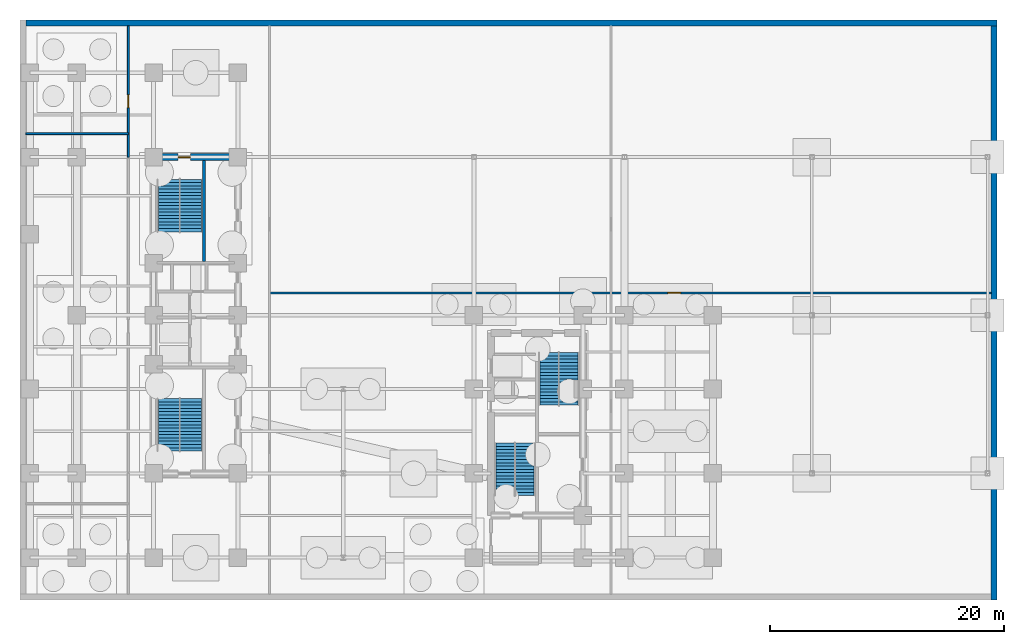
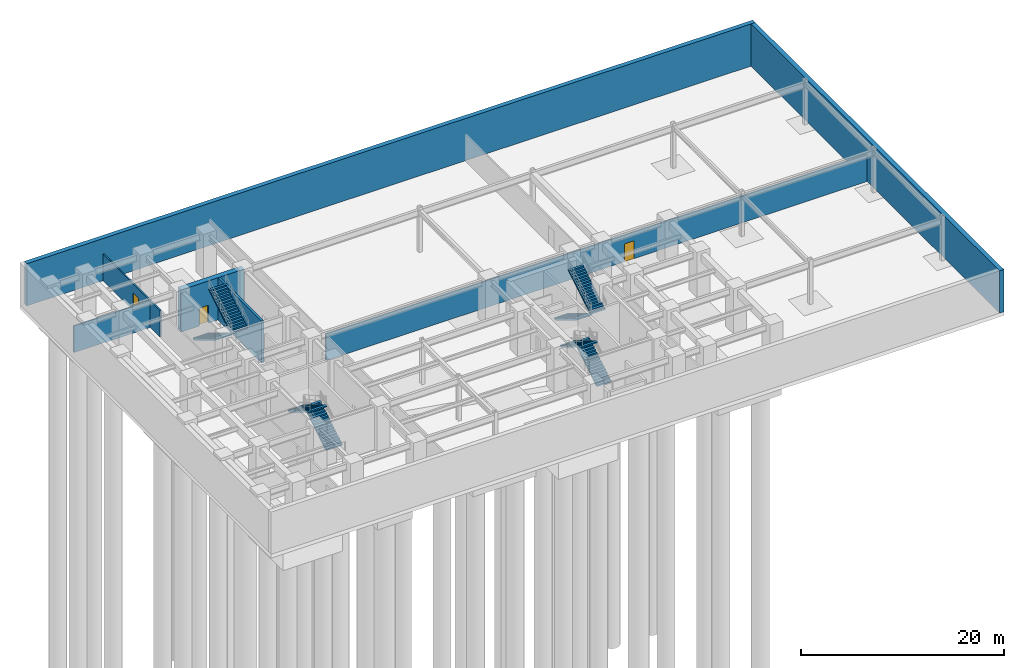
# One storey, part 7 of 11: 8 stair flights, 7 walls, 3 doors, 3 openings, 4 elements without a shape of their own.
"""IFC4 building model written with IfcOpenShell, lengths in metres."""

import ifcopenshell
import ifcopenshell.guid

model = None  # the IFC model being written
_history = None  # IfcOwnerHistory: only IFC2X3 demands one
_inside = {}  # id of a spatial element -> (the spatial element, [elements in it])
_under = {}  # id of a project, library or spatial element -> (it, [spatial elements below it])
_declared = {}  # id of a project -> (the project, [libraries it declares])
_typed = {}  # id of a type object -> (the type object, [elements of that type])
_made_of = {}  # id of a material, layer set ... -> (it, [elements and type objects made of it])


def new_model(schema):
    """Start an empty IFC model of exactly this schema.

    Asked for "IFC4X3", IfcOpenShell would pick the latest addendum, in which some entities
    have other attributes; the version numbers below select the first issue.
    IFC2X3 requires an IfcOwnerHistory on every rooted entity: one is made here for all.
    """
    global model, _history
    if schema == "IFC4X3":
        model = ifcopenshell.file(schema_version=(4, 3, 0, 0))
    else:
        model = ifcopenshell.file(schema=schema)
    _inside.clear()
    _under.clear()
    _declared.clear()
    _typed.clear()
    _made_of.clear()
    _history = None
    if model.schema == "IFC2X3":
        org = make("IfcOrganization", Name="unknown")
        user = make(
            "IfcPersonAndOrganization",
            ThePerson=make("IfcPerson", FamilyName="unknown"),
            TheOrganization=org,
        )
        app = make(
            "IfcApplication",
            ApplicationDeveloper=org,
            Version="unknown",
            ApplicationFullName="unknown",
            ApplicationIdentifier="unknown",
        )
        _history = make(
            "IfcOwnerHistory",
            OwningUser=user,
            OwningApplication=app,
            ChangeAction="ADDED",
            CreationDate=0,
        )
    return model


def make(cls, **values):
    """One entity of the class cls with the attributes given. An attribute that is None is left unset."""
    return model.create_entity(
        cls, **{name: value for name, value in values.items() if value is not None}
    )


def entity(cls, *values):
    """Any entity or typed value of the class cls, its attributes in the order of the schema. None: left unset."""
    e = model.create_entity(cls)
    for i, value in enumerate(values):
        if value is not None:
            e[i] = value
    return e


def rooted(cls, **values):
    """An entity with a GlobalId (a new one), such as an element, a storey or a relation."""
    return make(cls, GlobalId=ifcopenshell.guid.new(), OwnerHistory=_history, **values)


def si_unit(unit_type, name, prefix=None):
    """IfcSIUnit, for example si_unit("LENGTHUNIT", "METRE", prefix="MILLI")."""
    return make("IfcSIUnit", UnitType=unit_type, Prefix=prefix, Name=name)


def converted_unit(unit_type, name, factor, base, dimensions=None, offset=None):
    """IfcConversionBasedUnit, such as the inch: factor (a typed value) times the base unit."""
    return make(
        "IfcConversionBasedUnit"
        if offset is None
        else "IfcConversionBasedUnitWithOffset",
        ConversionOffset=offset,
        Dimensions=None
        if dimensions is None
        else entity("IfcDimensionalExponents", *dimensions),
        UnitType=unit_type,
        Name=name,
        ConversionFactor=make(
            "IfcMeasureWithUnit", ValueComponent=factor, UnitComponent=base
        ),
    )


def assignment(units):
    """IfcUnitAssignment: the units of a project."""
    return None if units is None else make("IfcUnitAssignment", Units=units)


def point(xyz):
    """IfcCartesianPoint."""
    return None if xyz is None else make("IfcCartesianPoint", Coordinates=xyz)


def direction(xyz):
    """IfcDirection."""
    return None if xyz is None else make("IfcDirection", DirectionRatios=xyz)


def frame(location, z_axis=None, x_axis=None):
    """IfcAxis2Placement3D, a coordinate frame: its origin and axes. An axis left out is left unset."""
    return make(
        "IfcAxis2Placement3D",
        Location=point(location),
        Axis=direction(z_axis),
        RefDirection=direction(x_axis),
    )


def frame_2d(location, x_axis=None):
    """IfcAxis2Placement2D, a coordinate frame in the plane: its origin and x axis."""
    return make(
        "IfcAxis2Placement2D", Location=point(location), RefDirection=direction(x_axis)
    )


def origin_with_axes():
    """The frame at (0, 0, 0) with the z axis (0, 0, 1) and the x axis (1, 0, 0) written out."""
    return frame((0.0, 0.0, 0.0), z_axis=(0.0, 0.0, 1.0), x_axis=(1.0, 0.0, 0.0))


def origin_2d_with_axis():
    """The frame at (0, 0) in the plane with the x axis (1, 0) written out."""
    return frame_2d((0.0, 0.0), x_axis=(1.0, 0.0))


def place(relative_to, where):
    """IfcLocalPlacement: puts the frame where relative to a parent placement (None: the world)."""
    return make(
        "IfcLocalPlacement", PlacementRelTo=relative_to, RelativePlacement=where
    )


def context(
    kind, dimensions, precision=None, world=None, true_north=None, identifier=None
):
    """IfcGeometricRepresentationContext, for example the 3D "Model" context."""
    return make(
        "IfcGeometricRepresentationContext",
        ContextIdentifier=identifier,
        ContextType=kind,
        CoordinateSpaceDimension=dimensions,
        Precision=precision,
        WorldCoordinateSystem=world,
        TrueNorth=true_north,
    )


def subcontext(parent, identifier, kind, view, scale=None):
    """IfcGeometricRepresentationSubContext, for example "Body" below "Model"."""
    return make(
        "IfcGeometricRepresentationSubContext",
        ContextIdentifier=identifier,
        ContextType=kind,
        ParentContext=parent,
        TargetScale=scale,
        TargetView=view,
    )


def project(units=None, contexts=None):
    """IfcProject with its units and contexts."""
    return rooted(
        "IfcProject",
        Name="project",
        RepresentationContexts=contexts,
        UnitsInContext=assignment(units),
    )


def spatial(cls, under=None, at=None, **own):
    """A site, building, storey or space (cls), placed at a placement, below another one or the project."""
    s = rooted(cls, ObjectPlacement=at, **own)
    if under is not None:
        _under.setdefault(under.id(), (under, []))[1].append(s)
    return s


def polyline(points):
    """IfcPolyline through the points."""
    return make("IfcPolyline", Points=[point(p) for p in points])


def profile(cls, at=None, kind="AREA", **sizes):
    """A parametric profile (cls). Its sizes go by their IFC names, for example OverallWidth=200.0."""
    return make(cls, ProfileType=kind, Position=at, **sizes)


def rectangle(**sizes):
    """IfcRectangleProfileDef."""
    return profile("IfcRectangleProfileDef", **sizes)


def outline(outer, holes=None, kind="AREA"):
    """IfcArbitraryClosedProfileDef: a profile drawn as a closed curve; with holes, ...WithVoids."""
    if holes is None:
        return make("IfcArbitraryClosedProfileDef", ProfileType=kind, OuterCurve=outer)
    return make(
        "IfcArbitraryProfileDefWithVoids",
        ProfileType=kind,
        OuterCurve=outer,
        InnerCurves=holes,
    )


def extrude(swept, where, along, depth):
    """IfcExtrudedAreaSolid: the profile swept, set in the frame where, extruded along a direction by depth."""
    return make(
        "IfcExtrudedAreaSolid",
        SweptArea=swept,
        Position=where,
        ExtrudedDirection=direction(along),
        Depth=depth,
    )


def shape(context_of_items, identifier, shape_type, items):
    """IfcShapeRepresentation: the items that make up one representation, for example the "Body"."""
    return make(
        "IfcShapeRepresentation",
        ContextOfItems=context_of_items,
        RepresentationIdentifier=identifier,
        RepresentationType=shape_type,
        Items=items,
    )


def material(Name=None, Category=None):
    """IfcMaterial."""
    return make("IfcMaterial", Name=Name, Category=Category)


def layer(
    of_material, thickness, ventilated=None, Name=None, Category=None, Priority=None
):
    """IfcMaterialLayer: one layer of a wall or slab, of a material (None: an air gap)."""
    return make(
        "IfcMaterialLayer",
        Material=of_material,
        LayerThickness=thickness,
        IsVentilated=ventilated,
        Name=Name,
        Category=Category,
        Priority=Priority,
    )


def layer_set(layers, Name=None):
    """IfcMaterialLayerSet."""
    return make("IfcMaterialLayerSet", MaterialLayers=layers, LayerSetName=Name)


def made_of(thing, what):
    """Note that an element or type object is made of a material, layer set ...; save() writes the relation."""
    if what is not None:
        _made_of.setdefault(what.id(), (what, []))[1].append(thing)
    return thing


def type_object(cls, material=None, **own):
    """A type object (cls), such as IfcWallType, which elements share."""
    return made_of(rooted(cls, **own), material)


def element(
    cls,
    number,
    at=None,
    inside=None,
    cuts=None,
    type_object=None,
    material=None,
    context=None,
    identifier="Body",
    shape_type=None,
    held_by="IfcProductDefinitionShape",
    body=None,
    shapes=None,
    **own,
):
    """One element of the class cls, such as IfcWall. Its Tag is "e" and its number.

    at: its placement. inside: the storey or other place that contains it. cuts: it is an
    opening in that element (IfcRelVoidsElement). A single representation is given by context,
    identifier, shape_type and body (its items); several are given by shapes. held_by: the class
    of the entity that holds the representations. save() writes the other relations.
    """
    e = rooted(cls, Tag="e%d" % number, ObjectPlacement=at, **own)
    if body is not None:
        shapes = [shape(context, identifier, shape_type, body)]
    if shapes is not None:
        e.Representation = make(held_by, Representations=shapes)
    if inside is not None:
        _inside.setdefault(inside.id(), (inside, []))[1].append(e)
    if cuts is not None:
        rooted(
            "IfcRelVoidsElement", RelatingBuildingElement=cuts, RelatedOpeningElement=e
        )
    if type_object is not None:
        _typed.setdefault(type_object.id(), (type_object, []))[1].append(e)
    return made_of(e, material)


def fill(opening, filler):
    """IfcRelFillsElement: the door or window that sits in an opening."""
    return rooted(
        "IfcRelFillsElement",
        RelatingOpeningElement=opening,
        RelatedBuildingElement=filler,
    )


def aggregate(whole, parts):
    """IfcRelAggregates: a whole, such as a stair, and the parts it consists of."""
    return rooted("IfcRelAggregates", RelatingObject=whole, RelatedObjects=parts)


def save(model, path):
    """Write the relations noted so far, then the file.

    IfcRelAggregates (storeys below a building ...), IfcRelContainedInSpatialStructure (elements
    in a storey), IfcRelDefinesByType, IfcRelAssociatesMaterial and IfcRelDeclares: one each for
    every whole, place, type object, material and project.
    """
    for whole, parts in _under.values():
        aggregate(whole, parts)
    for where, things in _inside.values():
        rooted(
            "IfcRelContainedInSpatialStructure",
            RelatedElements=things,
            RelatingStructure=where,
        )
    for kind, things in _typed.values():
        rooted("IfcRelDefinesByType", RelatedObjects=things, RelatingType=kind)
    for what, things in _made_of.values():
        rooted("IfcRelAssociatesMaterial", RelatedObjects=things, RelatingMaterial=what)
    for by, libraries in _declared.values():
        rooted("IfcRelDeclares", RelatingContext=by, RelatedDefinitions=libraries)
    model.write(path)


model = new_model("IFC4")

# Units and contexts
model_context = context("Model", 3, precision=1e-05, world=origin_with_axes(), true_north=direction((0.0, 1.0)))
body_context = subcontext(model_context, "Body", "Model", "MODEL_VIEW")
ifc_project = project(units=[si_unit("LENGTHUNIT", "METRE"), si_unit("AREAUNIT", "SQUARE_METRE"), si_unit("VOLUMEUNIT", "CUBIC_METRE"), converted_unit("PLANEANGLEUNIT", "DEGREE", entity("IfcPlaneAngleMeasure", 0.017453292519943295), si_unit("PLANEANGLEUNIT", "RADIAN"), dimensions=[0, 0, 0, 0, 0, 0, 0]), si_unit("MASSUNIT", "GRAM", prefix="KILO"), si_unit("THERMODYNAMICTEMPERATUREUNIT", "KELVIN")], contexts=[model_context])

# Site, building, storey
site_placement = place(None, origin_with_axes())
site = spatial("IfcSite", under=ifc_project, at=site_placement, CompositionType="ELEMENT")
building_placement = place(site_placement, origin_with_axes())
building = spatial("IfcBuilding", under=site, at=building_placement, Name="Varnlund Millrace Tower", CompositionType="ELEMENT")
storey_placement = place(building_placement, frame((0.0, 0.0, -10.2), z_axis=(0.0, 0.0, 1.0), x_axis=(1.0, 0.0, 0.0)))
storey = spatial("IfcBuildingStorey", under=building, at=storey_placement, Name="B2", CompositionType="ELEMENT", Elevation=-10.2)

# Wall, opening, door
ifc_material_1 = material(Name="Concrete C80/95", Category="concrete")
ifc_layer_1 = layer(ifc_material_1, 0.6, Name="Concrete C80/95")
ifc_layer_set_1 = layer_set([ifc_layer_1], Name="Concrete C80/95")
wall_type_1 = type_object("IfcWallType", Name="Type-CoreWall-Shear-600-C80", PredefinedType="SHEAR", material=ifc_layer_set_1)
wall_1_placement = place(storey_placement, frame((11.4, 37.8, 0.0), z_axis=(0.0, 0.0, 1.0), x_axis=(1.0, 0.0, 0.0)))
wall_1 = element("IfcWall", 1, at=wall_1_placement, inside=storey, type_object=wall_type_1, Name="Type-CoreWall-Shear-600-C80", PredefinedType="SHEAR", context=body_context, shape_type="SweptSolid", body=[
    extrude(outline(polyline([(0.0, -0.3), (7.2, -0.3), (7.2, 0.3), (0.0, 0.3), (0.0, -0.3)])), origin_with_axes(), (0.0, 0.0, 1.0), 5.08),
])
opening_1_placement = place(wall_1_placement, frame((2.625, 0.0, 0.0), z_axis=(0.0, 0.0, 1.0), x_axis=(1.0, 0.0, 0.0)))
opening_1 = element("IfcOpeningElement", 2, at=opening_1_placement, cuts=wall_1, Name="Opening B2:DR-STA2", PredefinedType="OPENING", context=body_context, shape_type="SweptSolid", body=[
    extrude(rectangle(XDim=1.05, YDim=0.62, at=origin_2d_with_axis()), origin_with_axes(), (0.0, 0.0, 1.0), 2.15),
])
ifc_material_2 = material(Name="Fire-rated hollow steel door", Category="steel")
door_type_1 = type_object("IfcDoorType", Name="Type-FireDoor-Stair-1050X2150", OperationType="NOTDEFINED", PredefinedType="DOOR", material=ifc_material_2)
door_1_placement = place(wall_1_placement, frame((2.625, 0.0, 0.0), z_axis=(0.0, 0.0, 1.0), x_axis=(1.0, 0.0, 0.0)))
door_1 = element("IfcDoor", 3, at=door_1_placement, inside=storey, type_object=door_type_1, Name="Type-FireDoor-Stair-1050X2150", OperationType="SINGLE_SWING_RIGHT", OverallHeight=2.15, OverallWidth=1.05, PredefinedType="DOOR", context=body_context, shape_type="SweptSolid", body=[
    extrude(rectangle(XDim=1.05, YDim=0.09, at=origin_2d_with_axis()), origin_with_axes(), (0.0, 0.0, 1.0), 2.15),
])
fill(opening_1, door_1)

ifc_material_3 = material(Name="Fire-rated gypsum board on cold-formed steel framing", Category="steel")
ifc_layer_2 = layer(ifc_material_3, 0.16, Name="Fire-rated gypsum board on cold-formed steel framing")
ifc_layer_set_2 = layer_set([ifc_layer_2], Name="Fire-rated gypsum board on cold-formed steel framing")
wall_type_2 = type_object("IfcWallType", Name="Type-Partition-Corridor-160", PredefinedType="PARTITIONING", material=ifc_layer_set_2)
wall_2_placement = place(storey_placement, frame((9.25, 37.8, 0.0), z_axis=(0.0, 0.0, 1.0), x_axis=(0.0, 1.0, 0.0)))
wall_2 = element("IfcWall", 4, at=wall_2_placement, inside=storey, type_object=wall_type_2, Name="Type-Partition-Corridor-160", PredefinedType="PARTITIONING", context=body_context, shape_type="SweptSolid", body=[
    extrude(outline(polyline([(0.0, -0.08), (11.2, -0.08), (11.2, 0.08), (0.0, 0.08), (0.0, -0.08)])), origin_with_axes(), (0.0, 0.0, 1.0), 3.2),
])
opening_2_placement = place(wall_2_placement, frame((4.75, 0.0, 0.0), z_axis=(0.0, 0.0, 1.0), x_axis=(1.0, 0.0, 0.0)))
opening_2 = element("IfcOpeningElement", 5, at=opening_2_placement, cuts=wall_2, Name="Opening B2:DR-STM", PredefinedType="OPENING", context=body_context, shape_type="SweptSolid", body=[
    extrude(rectangle(XDim=1.1, YDim=0.18, at=origin_2d_with_axis()), origin_with_axes(), (0.0, 0.0, 1.0), 2.15),
])
ifc_material_4 = material(Name="Fire-rated mechanical room steel door", Category="steel")
door_type_2 = type_object("IfcDoorType", Name="Type-FireDoor-Plant-1100X2150", OperationType="NOTDEFINED", PredefinedType="DOOR", material=ifc_material_4)
door_2_placement = place(wall_2_placement, frame((4.75, 0.0, 0.0), z_axis=(0.0, 0.0, 1.0), x_axis=(1.0, 0.0, 0.0)))
door_2 = element("IfcDoor", 6, at=door_2_placement, inside=storey, type_object=door_type_2, Name="Type-FireDoor-Plant-1100X2150", OperationType="SINGLE_SWING_LEFT", OverallHeight=2.15, OverallWidth=1.1, PredefinedType="DOOR", context=body_context, shape_type="SweptSolid", body=[
    extrude(rectangle(XDim=1.1, YDim=0.09, at=origin_2d_with_axis()), origin_with_axes(), (0.0, 0.0, 1.0), 2.15),
])
fill(opening_2, door_2)

wall_3_placement = place(storey_placement, frame((21.3, 26.2, 0.0), z_axis=(0.0, 0.0, 1.0), x_axis=(1.0, 0.0, 0.0)))
wall_3 = element("IfcWall", 7, at=wall_3_placement, inside=storey, type_object=wall_type_2, Name="Type-Partition-Corridor-160", PredefinedType="PARTITIONING", context=body_context, shape_type="SweptSolid", body=[
    extrude(outline(polyline([(0.0, -0.08), (61.6, -0.08), (61.6, 0.08), (0.0, 0.08), (0.0, -0.08)])), origin_with_axes(), (0.0, 0.0, 1.0), 3.2),
])
opening_3_placement = place(wall_3_placement, frame((34.55, 0.0, 0.0), z_axis=(0.0, 0.0, 1.0), x_axis=(1.0, 0.0, 0.0)))
opening_3 = element("IfcOpeningElement", 8, at=opening_3_placement, cuts=wall_3, Name="Opening B2:DR-B2-TES2", PredefinedType="OPENING", context=body_context, shape_type="SweptSolid", body=[
    extrude(rectangle(XDim=1.1, YDim=0.18, at=origin_2d_with_axis()), origin_with_axes(), (0.0, 0.0, 1.0), 2.15),
])
door_3_placement = place(wall_3_placement, frame((34.55, 0.0, 0.0), z_axis=(0.0, 0.0, 1.0), x_axis=(1.0, 0.0, 0.0)))
door_3 = element("IfcDoor", 9, at=door_3_placement, inside=storey, type_object=door_type_2, Name="Type-FireDoor-Plant-1100X2150", OperationType="SINGLE_SWING_LEFT", OverallHeight=2.15, OverallWidth=1.1, PredefinedType="DOOR", context=body_context, shape_type="SweptSolid", body=[
    extrude(rectangle(XDim=1.1, YDim=0.09, at=origin_2d_with_axis()), origin_with_axes(), (0.0, 0.0, 1.0), 2.15),
])
fill(opening_3, door_3)

# Walls
wall_4_placement = place(storey_placement, frame((0.5, 39.8, 0.0), z_axis=(0.0, 0.0, 1.0), x_axis=(1.0, 0.0, 0.0)))
element("IfcWall", 10, at=wall_4_placement, inside=storey, type_object=wall_type_2, Name="Type-Partition-Corridor-160", PredefinedType="PARTITIONING", context=body_context, shape_type="SweptSolid", body=[
    extrude(outline(polyline([(0.0, -0.08), (8.75, -0.08), (8.75, 0.08), (0.0, 0.08), (0.0, -0.08)])), origin_with_axes(), (0.0, 0.0, 1.0), 3.2),
])
ifc_material_5 = material(Name="Concrete C60/75", Category="concrete")
ifc_layer_3 = layer(ifc_material_5, 0.25, Name="Concrete C60/75")
ifc_layer_set_3 = layer_set([ifc_layer_3], Name="Concrete C60/75")
wall_type_3 = type_object("IfcWallType", Name="Type-StairWall-Shear-250", PredefinedType="SHEAR", material=ifc_layer_set_3)
wall_5_placement = place(storey_placement, frame((15.725, 28.9, 0.0), z_axis=(0.0, 0.0, 1.0), x_axis=(0.0, 1.0, 0.0)))
element("IfcWall", 11, at=wall_5_placement, inside=storey, type_object=wall_type_3, Name="Type-StairWall-Shear-250", PredefinedType="SHEAR", context=body_context, shape_type="SweptSolid", body=[
    extrude(outline(polyline([(0.0, -0.125), (8.6, -0.125), (8.6, 0.125), (0.0, 0.125), (0.0, -0.125)])), origin_with_axes(), (0.0, 0.0, 1.0), 5.08),
])
ifc_material_6 = material(Name="Concrete C50/60", Category="concrete")
ifc_layer_4 = layer(ifc_material_6, 0.5, Name="Concrete C50/60")
ifc_layer_set_4 = layer_set([ifc_layer_4], Name="Concrete C50/60")
wall_type_4 = type_object("IfcWallType", Name="Type-Subgrade-Wall-500", PredefinedType="USERDEFINED", material=ifc_layer_set_4)
wall_6_placement = place(storey_placement, frame((0.5, 49.25, 0.0), z_axis=(0.0, 0.0, 1.0), x_axis=(1.0, 0.0, 0.0)))
element("IfcWall", 12, at=wall_6_placement, inside=storey, type_object=wall_type_4, Name="Type-Subgrade-Wall-500", ObjectType="RETAININGWALL", PredefinedType="USERDEFINED", context=body_context, shape_type="SweptSolid", body=[
    extrude(outline(polyline([(0.0, -0.25), (82.9, -0.25), (82.9, 0.25), (0.0, 0.25), (0.0, -0.25)])), origin_with_axes(), (0.0, 0.0, 1.0), 5.08),
])
wall_7_placement = place(storey_placement, frame((83.15, 49.0, 0.0), z_axis=(0.0, 0.0, 1.0), x_axis=(0.0, -1.0, 0.0)))
element("IfcWall", 13, at=wall_7_placement, inside=storey, type_object=wall_type_4, Name="Type-Subgrade-Wall-500", ObjectType="RETAININGWALL", PredefinedType="USERDEFINED", context=body_context, shape_type="SweptSolid", body=[
    extrude(outline(polyline([(0.0, -0.25), (49.0, -0.25), (49.0, 0.25), (0.0, 0.25), (0.0, -0.25)])), origin_with_axes(), (0.0, 0.0, 1.0), 5.08),
])

# Stair, stair flights
stair_type_1 = type_object("IfcStairType", Name="Type-Stair-Dogleg-165-540", PredefinedType="HALF_TURN_STAIR", material=ifc_material_6)
stair_1_placement = place(storey_placement, origin_with_axes())
stair_1 = element("IfcStair", 14, at=stair_1_placement, inside=storey, type_object=stair_type_1, Name="Type-Stair-Dogleg-165-540", PredefinedType="HALF_TURN_STAIR")
ifc_material_7 = material(Name="Precast concrete C50/60", Category="concrete")
stair_flight_type_1 = type_object("IfcStairFlightType", Name="Type-Dogleg-Run-165-540", PredefinedType="STRAIGHT", material=ifc_material_7)
stair_flight_1_placement = place(storey_placement, frame((42.225, 8.9, 0.0), z_axis=(1.0, 0.0, 0.0), x_axis=(0.0, 1.0, 0.0)))
stair_flight_1 = element("IfcStairFlight", 15, at=stair_flight_1_placement, type_object=stair_flight_type_1, Name="ST-B1 flight 1", NumberOfRisers=16, NumberOfTreads=16, PredefinedType="STRAIGHT", RiserHeight=0.16875, TreadLength=0.28, context=body_context, shape_type="SweptSolid", body=[
    extrude(outline(polyline([(0.0, 0.0), (0.0, 0.16875), (0.28, 0.16875), (0.28, 0.3375), (0.56, 0.3375), (0.56, 0.50625), (0.84, 0.50625), (0.84, 0.675), (1.12, 0.675), (1.12, 0.84375), (1.4, 0.84375), (1.4, 1.0125), (1.68, 1.0125), (1.68, 1.18125), (1.96, 1.18125), (1.96, 1.35), (2.24, 1.35), (2.24, 1.51875), (2.52, 1.51875), (2.52, 1.6875), (2.8, 1.6875), (2.8, 1.85625), (3.08, 1.85625), (3.08, 2.025), (3.36, 2.025), (3.36, 2.19375), (3.64, 2.19375), (3.64, 2.3625), (3.92, 2.3625), (3.92, 2.53125), (4.2, 2.53125), (4.2, 2.7), (4.48, 2.7), (4.48, 2.55), (0.28, 0.0), (0.0, 0.0)])), origin_with_axes(), (0.0, 0.0, 1.0), 1.65),
])
stair_flight_2_placement = place(storey_placement, frame((42.275, 13.38, 2.7), z_axis=(-1.0, 0.0, 0.0), x_axis=(0.0, -1.0, 0.0)))
stair_flight_2 = element("IfcStairFlight", 16, at=stair_flight_2_placement, type_object=stair_flight_type_1, Name="ST-B1 flight 2", NumberOfRisers=16, NumberOfTreads=16, PredefinedType="STRAIGHT", RiserHeight=0.16875, TreadLength=0.28, context=body_context, shape_type="SweptSolid", body=[
    extrude(outline(polyline([(0.0, 0.0), (0.0, 0.16875), (0.28, 0.16875), (0.28, 0.3375), (0.56, 0.3375), (0.56, 0.50625), (0.84, 0.50625), (0.84, 0.675), (1.12, 0.675), (1.12, 0.84375), (1.4, 0.84375), (1.4, 1.0125), (1.68, 1.0125), (1.68, 1.18125), (1.96, 1.18125), (1.96, 1.35), (2.24, 1.35), (2.24, 1.51875), (2.52, 1.51875), (2.52, 1.6875), (2.8, 1.6875), (2.8, 1.85625), (3.08, 1.85625), (3.08, 2.025), (3.36, 2.025), (3.36, 2.19375), (3.64, 2.19375), (3.64, 2.3625), (3.92, 2.3625), (3.92, 2.53125), (4.2, 2.53125), (4.2, 2.7), (4.48, 2.7), (4.48, 2.55), (0.28, 0.0), (0.0, 0.0)])), origin_with_axes(), (0.0, 0.0, 1.0), 1.65),
])
aggregate(stair_1, [stair_flight_1, stair_flight_2])

stair_2_placement = place(storey_placement, origin_with_axes())
stair_2 = element("IfcStair", 17, at=stair_2_placement, inside=storey, type_object=stair_type_1, Name="Type-Stair-Dogleg-165-540", PredefinedType="HALF_TURN_STAIR")
stair_flight_3_placement = place(storey_placement, frame((46.025, 21.1, 0.0), z_axis=(-1.0, 0.0, 0.0), x_axis=(0.0, -1.0, 0.0)))
stair_flight_3 = element("IfcStairFlight", 18, at=stair_flight_3_placement, type_object=stair_flight_type_1, Name="ST-B2 flight 1", NumberOfRisers=16, NumberOfTreads=16, PredefinedType="STRAIGHT", RiserHeight=0.16875, TreadLength=0.28, context=body_context, shape_type="SweptSolid", body=[
    extrude(outline(polyline([(0.0, 0.0), (0.0, 0.16875), (0.28, 0.16875), (0.28, 0.3375), (0.56, 0.3375), (0.56, 0.50625), (0.84, 0.50625), (0.84, 0.675), (1.12, 0.675), (1.12, 0.84375), (1.4, 0.84375), (1.4, 1.0125), (1.68, 1.0125), (1.68, 1.18125), (1.96, 1.18125), (1.96, 1.35), (2.24, 1.35), (2.24, 1.51875), (2.52, 1.51875), (2.52, 1.6875), (2.8, 1.6875), (2.8, 1.85625), (3.08, 1.85625), (3.08, 2.025), (3.36, 2.025), (3.36, 2.19375), (3.64, 2.19375), (3.64, 2.3625), (3.92, 2.3625), (3.92, 2.53125), (4.2, 2.53125), (4.2, 2.7), (4.48, 2.7), (4.48, 2.55), (0.28, 0.0), (0.0, 0.0)])), origin_with_axes(), (0.0, 0.0, 1.0), 1.65),
])
stair_flight_4_placement = place(storey_placement, frame((45.975, 16.62, 2.7), z_axis=(1.0, 0.0, 0.0), x_axis=(0.0, 1.0, 0.0)))
stair_flight_4 = element("IfcStairFlight", 19, at=stair_flight_4_placement, type_object=stair_flight_type_1, Name="ST-B2 flight 2", NumberOfRisers=16, NumberOfTreads=16, PredefinedType="STRAIGHT", RiserHeight=0.16875, TreadLength=0.28, context=body_context, shape_type="SweptSolid", body=[
    extrude(outline(polyline([(0.0, 0.0), (0.0, 0.16875), (0.28, 0.16875), (0.28, 0.3375), (0.56, 0.3375), (0.56, 0.50625), (0.84, 0.50625), (0.84, 0.675), (1.12, 0.675), (1.12, 0.84375), (1.4, 0.84375), (1.4, 1.0125), (1.68, 1.0125), (1.68, 1.18125), (1.96, 1.18125), (1.96, 1.35), (2.24, 1.35), (2.24, 1.51875), (2.52, 1.51875), (2.52, 1.6875), (2.8, 1.6875), (2.8, 1.85625), (3.08, 1.85625), (3.08, 2.025), (3.36, 2.025), (3.36, 2.19375), (3.64, 2.19375), (3.64, 2.3625), (3.92, 2.3625), (3.92, 2.53125), (4.2, 2.53125), (4.2, 2.7), (4.48, 2.7), (4.48, 2.55), (0.28, 0.0), (0.0, 0.0)])), origin_with_axes(), (0.0, 0.0, 1.0), 1.65),
])
aggregate(stair_2, [stair_flight_3, stair_flight_4])

stair_type_2 = type_object("IfcStairType", Name="Type-Stair-Dogleg-185-540", PredefinedType="HALF_TURN_STAIR", material=ifc_material_6)
stair_3_placement = place(storey_placement, origin_with_axes())
stair_3 = element("IfcStair", 20, at=stair_3_placement, inside=storey, type_object=stair_type_2, Name="Type-Stair-Dogleg-185-540", PredefinedType="HALF_TURN_STAIR")
stair_flight_type_2 = type_object("IfcStairFlightType", Name="Type-Dogleg-Run-185-540", PredefinedType="STRAIGHT", material=ifc_material_7)
stair_flight_5_placement = place(storey_placement, frame((13.625, 12.7, 0.0), z_axis=(1.0, 0.0, 0.0), x_axis=(0.0, 1.0, 0.0)))
stair_flight_5 = element("IfcStairFlight", 21, at=stair_flight_5_placement, type_object=stair_flight_type_2, Name="ST-A1 flight 1", NumberOfRisers=16, NumberOfTreads=16, PredefinedType="STRAIGHT", RiserHeight=0.16875, TreadLength=0.28, context=body_context, shape_type="SweptSolid", body=[
    extrude(outline(polyline([(0.0, 0.0), (0.0, 0.16875), (0.28, 0.16875), (0.28, 0.3375), (0.56, 0.3375), (0.56, 0.50625), (0.84, 0.50625), (0.84, 0.675), (1.12, 0.675), (1.12, 0.84375), (1.4, 0.84375), (1.4, 1.0125), (1.68, 1.0125), (1.68, 1.18125), (1.96, 1.18125), (1.96, 1.35), (2.24, 1.35), (2.24, 1.51875), (2.52, 1.51875), (2.52, 1.6875), (2.8, 1.6875), (2.8, 1.85625), (3.08, 1.85625), (3.08, 2.025), (3.36, 2.025), (3.36, 2.19375), (3.64, 2.19375), (3.64, 2.3625), (3.92, 2.3625), (3.92, 2.53125), (4.2, 2.53125), (4.2, 2.7), (4.48, 2.7), (4.48, 2.55), (0.28, 0.0), (0.0, 0.0)])), origin_with_axes(), (0.0, 0.0, 1.0), 1.85),
])
stair_flight_6_placement = place(storey_placement, frame((13.675, 17.18, 2.7), z_axis=(-1.0, 0.0, 0.0), x_axis=(0.0, -1.0, 0.0)))
stair_flight_6 = element("IfcStairFlight", 22, at=stair_flight_6_placement, type_object=stair_flight_type_2, Name="ST-A1 flight 2", NumberOfRisers=16, NumberOfTreads=16, PredefinedType="STRAIGHT", RiserHeight=0.16875, TreadLength=0.28, context=body_context, shape_type="SweptSolid", body=[
    extrude(outline(polyline([(0.0, 0.0), (0.0, 0.16875), (0.28, 0.16875), (0.28, 0.3375), (0.56, 0.3375), (0.56, 0.50625), (0.84, 0.50625), (0.84, 0.675), (1.12, 0.675), (1.12, 0.84375), (1.4, 0.84375), (1.4, 1.0125), (1.68, 1.0125), (1.68, 1.18125), (1.96, 1.18125), (1.96, 1.35), (2.24, 1.35), (2.24, 1.51875), (2.52, 1.51875), (2.52, 1.6875), (2.8, 1.6875), (2.8, 1.85625), (3.08, 1.85625), (3.08, 2.025), (3.36, 2.025), (3.36, 2.19375), (3.64, 2.19375), (3.64, 2.3625), (3.92, 2.3625), (3.92, 2.53125), (4.2, 2.53125), (4.2, 2.7), (4.48, 2.7), (4.48, 2.55), (0.28, 0.0), (0.0, 0.0)])), origin_with_axes(), (0.0, 0.0, 1.0), 1.85),
])
aggregate(stair_3, [stair_flight_5, stair_flight_6])

stair_4_placement = place(storey_placement, origin_with_axes())
stair_4 = element("IfcStair", 23, at=stair_4_placement, inside=storey, type_object=stair_type_2, Name="Type-Stair-Dogleg-185-540", PredefinedType="HALF_TURN_STAIR")
stair_flight_7_placement = place(storey_placement, frame((13.675, 35.9, 0.0), z_axis=(-1.0, 0.0, 0.0), x_axis=(0.0, -1.0, 0.0)))
stair_flight_7 = element("IfcStairFlight", 24, at=stair_flight_7_placement, type_object=stair_flight_type_2, Name="ST-A2 flight 1", NumberOfRisers=16, NumberOfTreads=16, PredefinedType="STRAIGHT", RiserHeight=0.16875, TreadLength=0.28, context=body_context, shape_type="SweptSolid", body=[
    extrude(outline(polyline([(0.0, 0.0), (0.0, 0.16875), (0.28, 0.16875), (0.28, 0.3375), (0.56, 0.3375), (0.56, 0.50625), (0.84, 0.50625), (0.84, 0.675), (1.12, 0.675), (1.12, 0.84375), (1.4, 0.84375), (1.4, 1.0125), (1.68, 1.0125), (1.68, 1.18125), (1.96, 1.18125), (1.96, 1.35), (2.24, 1.35), (2.24, 1.51875), (2.52, 1.51875), (2.52, 1.6875), (2.8, 1.6875), (2.8, 1.85625), (3.08, 1.85625), (3.08, 2.025), (3.36, 2.025), (3.36, 2.19375), (3.64, 2.19375), (3.64, 2.3625), (3.92, 2.3625), (3.92, 2.53125), (4.2, 2.53125), (4.2, 2.7), (4.48, 2.7), (4.48, 2.55), (0.28, 0.0), (0.0, 0.0)])), origin_with_axes(), (0.0, 0.0, 1.0), 1.85),
])
stair_flight_8_placement = place(storey_placement, frame((13.625, 31.42, 2.7), z_axis=(1.0, 0.0, 0.0), x_axis=(0.0, 1.0, 0.0)))
stair_flight_8 = element("IfcStairFlight", 25, at=stair_flight_8_placement, type_object=stair_flight_type_2, Name="ST-A2 flight 2", NumberOfRisers=16, NumberOfTreads=16, PredefinedType="STRAIGHT", RiserHeight=0.16875, TreadLength=0.28, context=body_context, shape_type="SweptSolid", body=[
    extrude(outline(polyline([(0.0, 0.0), (0.0, 0.16875), (0.28, 0.16875), (0.28, 0.3375), (0.56, 0.3375), (0.56, 0.50625), (0.84, 0.50625), (0.84, 0.675), (1.12, 0.675), (1.12, 0.84375), (1.4, 0.84375), (1.4, 1.0125), (1.68, 1.0125), (1.68, 1.18125), (1.96, 1.18125), (1.96, 1.35), (2.24, 1.35), (2.24, 1.51875), (2.52, 1.51875), (2.52, 1.6875), (2.8, 1.6875), (2.8, 1.85625), (3.08, 1.85625), (3.08, 2.025), (3.36, 2.025), (3.36, 2.19375), (3.64, 2.19375), (3.64, 2.3625), (3.92, 2.3625), (3.92, 2.53125), (4.2, 2.53125), (4.2, 2.7), (4.48, 2.7), (4.48, 2.55), (0.28, 0.0), (0.0, 0.0)])), origin_with_axes(), (0.0, 0.0, 1.0), 1.85),
])
aggregate(stair_4, [stair_flight_7, stair_flight_8])

save(model, "model.ifc")
